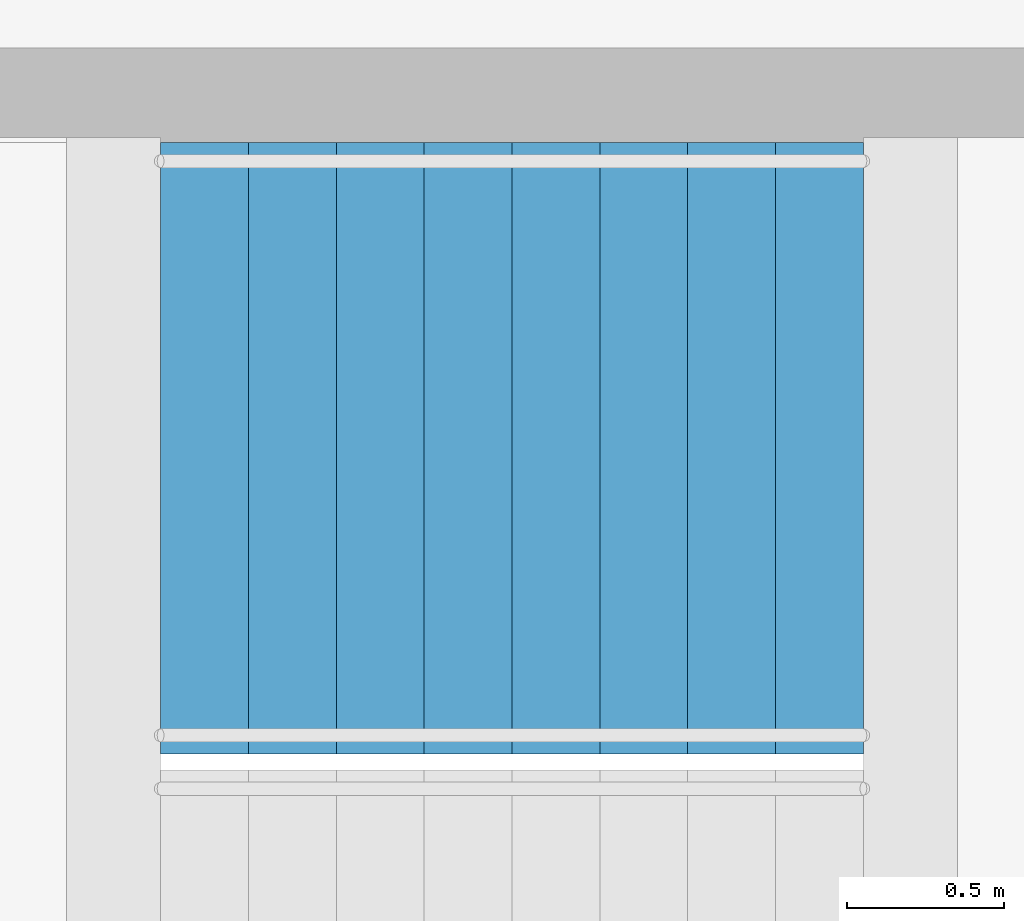
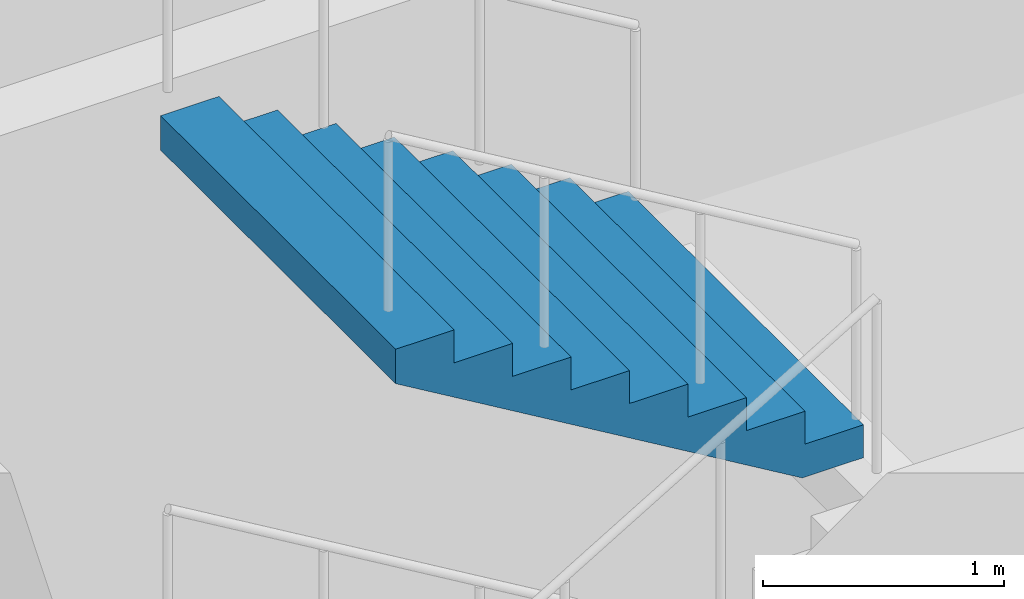
# One storey, part 32 of 57: 1 stair flight, 1 element without a shape of its own.
"""IFC4 building model written with IfcOpenShell, lengths in metres."""

from ifc_helpers import new_model, si_unit, direction, frame, origin, place, context, subcontext, project, spatial, triangles, material, type_object, element, aggregate, save


model = new_model("IFC4")

# Units and contexts
model_context = context("Model", 3, precision=1e-05, world=origin(), true_north=direction((0.0, 1.0)))
body_context = subcontext(model_context, "Body", "Model", "MODEL_VIEW")
ifc_project = project(units=[si_unit("LENGTHUNIT", "METRE"), si_unit("AREAUNIT", "SQUARE_METRE"), si_unit("VOLUMEUNIT", "CUBIC_METRE"), si_unit("PLANEANGLEUNIT", "RADIAN"), si_unit("MASSUNIT", "GRAM", prefix="KILO")], contexts=[model_context])

# Site, building, storey
site_placement = place(None, origin())
site = spatial("IfcSite", under=ifc_project, at=site_placement, CompositionType="ELEMENT")
building_placement = place(site_placement, origin())
building = spatial("IfcBuilding", under=site, at=building_placement, Name="Orbita Commons", CompositionType="ELEMENT")
storey_placement = place(building_placement, origin())
storey = spatial("IfcBuildingStorey", under=building, at=storey_placement, Name="L00", CompositionType="ELEMENT", Elevation=0.0)

# Stair, stair flight
ifc_material_1 = material(Name="Precast concrete C40/50", Category="concrete")
stair_type = type_object("IfcStairType", Name="Exit stair S1 4 flights 9 risers 167", PredefinedType="HALF_TURN_STAIR", material=ifc_material_1)
stair_placement = place(storey_placement, origin())
stair = element("IfcStair", 1, at=stair_placement, inside=storey, type_object=stair_type, Name="Exit stair S1 L00", PredefinedType="HALF_TURN_STAIR")
ifc_material_2 = material(Name="Precast concrete C40/50", Category="concrete")
stair_flight_type = type_object("IfcStairFlightType", Name="Stair flight 9 risers 167 x 280", PredefinedType="STRAIGHT", material=ifc_material_2)
stair_flight_placement = place(storey_placement, frame((22.68994140625, 29.27490234375, 4.5), z_axis=(0.0, 0.0, 1.0), x_axis=(-1.0, 0.0, 0.0)))
stair_flight = element("IfcStairFlight", 2, at=stair_flight_placement, type_object=stair_flight_type, Name="S1 flight 4", NumberOfRisers=9, NumberOfTreads=8, PredefinedType="STRAIGHT", RiserHeight=0.166666667, TreadLength=0.28, context=body_context, shape_type="Tessellation", body=[
    triangles([(0.0, 0.974976, 0.0), (0.0, 0.974976, 0.020833), (0.0, 0.81248, 0.020833), (0.0, 0.81248, 0.0), (0.0, 0.649984, 0.020833), (0.0, 0.649984, 0.0), (0.0, 0.487488, 0.020833), (0.0, 0.487488, 0.0), (0.0, 0.324992, 0.020833), (0.0, 0.324992, 0.0), (0.0, 0.162496, 0.020833), (0.0, 0.162496, 0.0), (0.0, 0.0, 0.020833), (0.0, 0.0, 0.0), (0.0, -0.162496, 0.020833), (0.0, -0.162496, 0.0), (0.0, -0.324992, 0.020833), (0.0, -0.324992, 0.0), (0.0, -0.487488, 0.020833), (0.0, -0.487488, 0.0), (0.0, -0.649984, 0.020833), (0.0, -0.649984, 0.0), (0.0, -0.81248, 0.020833), (0.0, -0.81248, 0.0), (0.0, -0.974976, 0.020833), (0.0, -0.974976, 0.0), (0.0, 0.974976, 0.041667), (0.0, 0.81248, 0.041667), (0.0, 0.649984, 0.041667), (0.0, 0.487488, 0.041667), (0.0, 0.324992, 0.041667), (0.0, 0.162496, 0.041667), (0.0, 0.0, 0.041667), (0.0, -0.162496, 0.041667), (0.0, -0.324992, 0.041667), (0.0, -0.487488, 0.041667), (0.0, -0.649984, 0.041667), (0.0, -0.81248, 0.041667), (0.0, -0.974976, 0.041667), (0.0, 0.974976, 0.0625), (0.0, 0.81248, 0.0625), (0.0, 0.649984, 0.0625), (0.0, 0.487488, 0.0625), (0.0, 0.324992, 0.0625), (0.0, 0.162496, 0.0625), (0.0, 0.0, 0.0625), (0.0, -0.162496, 0.0625), (0.0, -0.324992, 0.0625), (0.0, -0.487488, 0.0625), (0.0, -0.649984, 0.0625), (0.0, -0.81248, 0.0625), (0.0, -0.974976, 0.0625), (0.0, 0.974976, 0.083333), (0.0, 0.81248, 0.083333), (0.0, 0.649984, 0.083333), (0.0, 0.487488, 0.083333), (0.0, 0.324992, 0.083333), (0.0, 0.162496, 0.083333), (0.0, 0.0, 0.083333), (0.0, -0.162496, 0.083333), (0.0, -0.324992, 0.083333), (0.0, -0.487488, 0.083333), (0.0, -0.649984, 0.083333), (0.0, -0.81248, 0.083333), (0.0, -0.974976, 0.083333), (0.0, 0.974976, 0.104167), (0.0, 0.81248, 0.104167), (0.0, 0.649984, 0.104167), (0.0, 0.487488, 0.104167), (0.0, 0.324992, 0.104167), (0.0, 0.162496, 0.104167), (0.0, 0.0, 0.104167), (0.0, -0.162496, 0.104167), (0.0, -0.324992, 0.104167), (0.0, -0.487488, 0.104167), (0.0, -0.649984, 0.104167), (0.0, -0.81248, 0.104167), (0.0, -0.974976, 0.104167), (0.0, 0.974976, 0.125), (0.0, 0.81248, 0.125), (0.0, 0.649984, 0.125), (0.0, 0.487488, 0.125), (0.0, 0.324992, 0.125), (0.0, 0.162496, 0.125), (0.0, 0.0, 0.125), (0.0, -0.162496, 0.125), (0.0, -0.324992, 0.125), (0.0, -0.487488, 0.125), (0.0, -0.649984, 0.125), (0.0, -0.81248, 0.125), (0.0, -0.974976, 0.125), (0.0, 0.974976, 0.145833), (0.0, 0.81248, 0.145833), (0.0, 0.649984, 0.145833), (0.0, 0.487488, 0.145833), (0.0, 0.324992, 0.145833), (0.0, 0.162496, 0.145833), (0.0, 0.0, 0.145833), (0.0, -0.162496, 0.145833), (0.0, -0.324992, 0.145833), (0.0, -0.487488, 0.145833), (0.0, -0.649984, 0.145833), (0.0, -0.81248, 0.145833), (0.0, -0.974976, 0.145833), (0.0, 0.974976, 0.166667), (0.0, 0.81248, 0.166667), (0.0, 0.649984, 0.166667), (0.0, 0.487488, 0.166667), (0.0, 0.324992, 0.166667), (0.0, 0.162496, 0.166667), (0.0, 0.0, 0.166667), (0.0, -0.162496, 0.166667), (0.0, -0.324992, 0.166667), (0.0, -0.487488, 0.166667), (0.0, -0.649984, 0.166667), (0.0, -0.81248, 0.166667), (0.0, -0.974976, 0.166667), (0.28, 0.974976, 0.166667), (0.28, 0.81248, 0.166667), (0.28, 0.649984, 0.166667), (0.28, 0.487488, 0.166667), (0.28, 0.324992, 0.166667), (0.28, 0.162496, 0.166667), (0.28, 0.0, 0.166667), (0.28, -0.162496, 0.166667), (0.28, -0.324992, 0.166667), (0.28, -0.487488, 0.166667), (0.28, -0.649984, 0.166667), (0.28, -0.81248, 0.166667), (0.28, -0.974976, 0.166667), (0.28, 0.974976, 0.333333), (0.28, 0.81248, 0.333333), (0.28, 0.649984, 0.333333), (0.28, 0.487488, 0.333333), (0.28, 0.324992, 0.333333), (0.28, 0.162496, 0.333333), (0.28, 0.0, 0.333333), (0.28, -0.162496, 0.333333), (0.28, -0.324992, 0.333333), (0.28, -0.487488, 0.333333), (0.28, -0.649984, 0.333333), (0.28, -0.81248, 0.333333), (0.28, -0.974976, 0.333333), (0.56, 0.974976, 0.333333), (0.56, 0.81248, 0.333333), (0.56, 0.649984, 0.333333), (0.56, 0.487488, 0.333333), (0.56, 0.324992, 0.333333), (0.56, 0.162496, 0.333333), (0.56, 0.0, 0.333333), (0.56, -0.162496, 0.333333), (0.56, -0.324992, 0.333333), (0.56, -0.487488, 0.333333), (0.56, -0.649984, 0.333333), (0.56, -0.81248, 0.333333), (0.56, -0.974976, 0.333333), (0.56, 0.974976, 0.5), (0.56, 0.81248, 0.5), (0.56, 0.649984, 0.5), (0.56, 0.487488, 0.5), (0.56, 0.324992, 0.5), (0.56, 0.162496, 0.5), (0.56, 0.0, 0.5), (0.56, -0.162496, 0.5), (0.56, -0.324992, 0.5), (0.56, -0.487488, 0.5), (0.56, -0.649984, 0.5), (0.56, -0.81248, 0.5), (0.56, -0.974976, 0.5), (0.84, 0.974976, 0.5), (0.84, 0.81248, 0.5), (0.84, 0.649984, 0.5), (0.84, 0.487488, 0.5), (0.84, 0.324992, 0.5), (0.84, 0.162496, 0.5), (0.84, 0.0, 0.5), (0.84, -0.162496, 0.5), (0.84, -0.324992, 0.5), (0.84, -0.487488, 0.5), (0.84, -0.649984, 0.5), (0.84, -0.81248, 0.5), (0.84, -0.974976, 0.5), (0.84, 0.974976, 0.666667), (0.84, 0.81248, 0.666667), (0.84, 0.649984, 0.666667), (0.84, 0.487488, 0.666667), (0.84, 0.324992, 0.666667), (0.84, 0.162496, 0.666667), (0.84, 0.0, 0.666667), (0.84, -0.162496, 0.666667), (0.84, -0.324992, 0.666667), (0.84, -0.487488, 0.666667), (0.84, -0.649984, 0.666667), (0.84, -0.81248, 0.666667), (0.84, -0.974976, 0.666667), (1.12, 0.974976, 0.666667), (1.12, 0.81248, 0.666667), (1.12, 0.649984, 0.666667), (1.12, 0.487488, 0.666667), (1.12, 0.324992, 0.666667), (1.12, 0.162496, 0.666667), (1.12, 0.0, 0.666667), (1.12, -0.162496, 0.666667), (1.12, -0.324992, 0.666667), (1.12, -0.487488, 0.666667), (1.12, -0.649984, 0.666667), (1.12, -0.81248, 0.666667), (1.12, -0.974976, 0.666667), (1.12, 0.974976, 0.833333), (1.12, 0.81248, 0.833333), (1.12, 0.649984, 0.833333), (1.12, 0.487488, 0.833333), (1.12, 0.324992, 0.833333), (1.12, 0.162496, 0.833333), (1.12, 0.0, 0.833333), (1.12, -0.162496, 0.833333), (1.12, -0.324992, 0.833333), (1.12, -0.487488, 0.833333), (1.12, -0.649984, 0.833333), (1.12, -0.81248, 0.833333), (1.12, -0.974976, 0.833333), (1.4, 0.974976, 0.833333), (1.4, 0.81248, 0.833333), (1.4, 0.649984, 0.833333), (1.4, 0.487488, 0.833333), (1.4, 0.324992, 0.833333), (1.4, 0.162496, 0.833333), (1.4, 0.0, 0.833333), (1.4, -0.162496, 0.833333), (1.4, -0.324992, 0.833333), (1.4, -0.487488, 0.833333), (1.4, -0.649984, 0.833333), (1.4, -0.81248, 0.833333), (1.4, -0.974976, 0.833333), (1.4, 0.974976, 1.0), (1.4, 0.81248, 1.0), (1.4, 0.649984, 1.0), (1.4, 0.487488, 1.0), (1.4, 0.324992, 1.0), (1.4, 0.162496, 1.0), (1.4, 0.0, 1.0), (1.4, -0.162496, 1.0), (1.4, -0.324992, 1.0), (1.4, -0.487488, 1.0), (1.4, -0.649984, 1.0), (1.4, -0.81248, 1.0), (1.4, -0.974976, 1.0), (1.68, 0.974976, 1.0), (1.68, 0.81248, 1.0), (1.68, 0.649984, 1.0), (1.68, 0.487488, 1.0), (1.68, 0.324992, 1.0), (1.68, 0.162496, 1.0), (1.68, 0.0, 1.0), (1.68, -0.162496, 1.0), (1.68, -0.324992, 1.0), (1.68, -0.487488, 1.0), (1.68, -0.649984, 1.0), (1.68, -0.81248, 1.0), (1.68, -0.974976, 1.0), (1.68, 0.974976, 1.166667), (1.68, 0.81248, 1.166667), (1.68, 0.649984, 1.166667), (1.68, 0.487488, 1.166667), (1.68, 0.324992, 1.166667), (1.68, 0.162496, 1.166667), (1.68, 0.0, 1.166667), (1.68, -0.162496, 1.166667), (1.68, -0.324992, 1.166667), (1.68, -0.487488, 1.166667), (1.68, -0.649984, 1.166667), (1.68, -0.81248, 1.166667), (1.68, -0.974976, 1.166667), (1.96, 0.974976, 1.166667), (1.96, 0.81248, 1.166667), (1.96, 0.649984, 1.166667), (1.96, 0.487488, 1.166667), (1.96, 0.324992, 1.166667), (1.96, 0.162496, 1.166667), (1.96, 0.0, 1.166667), (1.96, -0.162496, 1.166667), (1.96, -0.324992, 1.166667), (1.96, -0.487488, 1.166667), (1.96, -0.649984, 1.166667), (1.96, -0.81248, 1.166667), (1.96, -0.974976, 1.166667), (1.96, 0.974976, 1.333333), (1.96, 0.81248, 1.333333), (1.96, 0.649984, 1.333333), (1.96, 0.487488, 1.333333), (1.96, 0.324992, 1.333333), (1.96, 0.162496, 1.333333), (1.96, 0.0, 1.333333), (1.96, -0.162496, 1.333333), (1.96, -0.324992, 1.333333), (1.96, -0.487488, 1.333333), (1.96, -0.649984, 1.333333), (1.96, -0.81248, 1.333333), (1.96, -0.974976, 1.333333), (2.24, 0.974976, 1.333333), (2.24, 0.81248, 1.333333), (2.24, 0.649984, 1.333333), (2.24, 0.487488, 1.333333), (2.24, 0.324992, 1.333333), (2.24, 0.162496, 1.333333), (2.24, 0.0, 1.333333), (2.24, -0.162496, 1.333333), (2.24, -0.324992, 1.333333), (2.24, -0.487488, 1.333333), (2.24, -0.649984, 1.333333), (2.24, -0.81248, 1.333333), (2.24, -0.974976, 1.333333), (2.24, 0.974976, 1.311527), (2.24, 0.81248, 1.311527), (2.24, 0.649984, 1.311527), (2.24, 0.487488, 1.311527), (2.24, 0.324992, 1.311527), (2.24, 0.162496, 1.311527), (2.24, 0.0, 1.311527), (2.24, -0.162496, 1.311527), (2.24, -0.324992, 1.311527), (2.24, -0.487488, 1.311527), (2.24, -0.649984, 1.311527), (2.24, -0.81248, 1.311527), (2.24, -0.974976, 1.311527), (2.24, 0.974976, 1.289721), (2.24, 0.81248, 1.289721), (2.24, 0.649984, 1.289721), (2.24, 0.487488, 1.289721), (2.24, 0.324992, 1.289721), (2.24, 0.162496, 1.289721), (2.24, 0.0, 1.289721), (2.24, -0.162496, 1.289721), (2.24, -0.324992, 1.289721), (2.24, -0.487488, 1.289721), (2.24, -0.649984, 1.289721), (2.24, -0.81248, 1.289721), (2.24, -0.974976, 1.289721), (2.24, 0.974976, 1.267915), (2.24, 0.81248, 1.267915), (2.24, 0.649984, 1.267915), (2.24, 0.487488, 1.267915), (2.24, 0.324992, 1.267915), (2.24, 0.162496, 1.267915), (2.24, 0.0, 1.267915), (2.24, -0.162496, 1.267915), (2.24, -0.324992, 1.267915), (2.24, -0.487488, 1.267915), (2.24, -0.649984, 1.267915), (2.24, -0.81248, 1.267915), (2.24, -0.974976, 1.267915), (2.24, 0.974976, 1.246109), (2.24, 0.81248, 1.246109), (2.24, 0.649984, 1.246109), (2.24, 0.487488, 1.246109), (2.24, 0.324992, 1.246109), (2.24, 0.162496, 1.246109), (2.24, 0.0, 1.246109), (2.24, -0.162496, 1.246109), (2.24, -0.324992, 1.246109), (2.24, -0.487488, 1.246109), (2.24, -0.649984, 1.246109), (2.24, -0.81248, 1.246109), (2.24, -0.974976, 1.246109), (2.24, 0.974976, 1.224303), (2.24, 0.81248, 1.224303), (2.24, 0.649984, 1.224303), (2.24, 0.487488, 1.224303), (2.24, 0.324992, 1.224303), (2.24, 0.162496, 1.224303), (2.24, 0.0, 1.224303), (2.24, -0.162496, 1.224303), (2.24, -0.324992, 1.224303), (2.24, -0.487488, 1.224303), (2.24, -0.649984, 1.224303), (2.24, -0.81248, 1.224303), (2.24, -0.974976, 1.224303), (2.24, 0.974976, 1.202497), (2.24, 0.81248, 1.202497), (2.24, 0.649984, 1.202497), (2.24, 0.487488, 1.202497), (2.24, 0.324992, 1.202497), (2.24, 0.162496, 1.202497), (2.24, 0.0, 1.202497), (2.24, -0.162496, 1.202497), (2.24, -0.324992, 1.202497), (2.24, -0.487488, 1.202497), (2.24, -0.649984, 1.202497), (2.24, -0.81248, 1.202497), (2.24, -0.974976, 1.202497), (2.24, 0.974976, 1.180691), (2.24, 0.81248, 1.180691), (2.24, 0.649984, 1.180691), (2.24, 0.487488, 1.180691), (2.24, 0.324992, 1.180691), (2.24, 0.162496, 1.180691), (2.24, 0.0, 1.180691), (2.24, -0.162496, 1.180691), (2.24, -0.324992, 1.180691), (2.24, -0.487488, 1.180691), (2.24, -0.649984, 1.180691), (2.24, -0.81248, 1.180691), (2.24, -0.974976, 1.180691), (2.24, 0.974976, 1.158885), (2.24, 0.81248, 1.158885), (2.24, 0.649984, 1.158885), (2.24, 0.487488, 1.158885), (2.24, 0.324992, 1.158885), (2.24, 0.162496, 1.158885), (2.24, 0.0, 1.158885), (2.24, -0.162496, 1.158885), (2.24, -0.324992, 1.158885), (2.24, -0.487488, 1.158885), (2.24, -0.649984, 1.158885), (2.24, -0.81248, 1.158885), (2.24, -0.974976, 1.158885), (0.293073, 0.974976, 0.0), (0.293073, 0.81248, 0.0), (0.293073, 0.649984, 0.0), (0.293073, 0.487488, 0.0), (0.293073, 0.324992, 0.0), (0.293073, 0.162496, 0.0), (0.293073, 0.0, 0.0), (0.293073, -0.162496, 0.0), (0.293073, -0.324992, 0.0), (0.293073, -0.487488, 0.0), (0.293073, -0.649984, 0.0), (0.293073, -0.81248, 0.0), (0.293073, -0.974976, 0.0)], [[3, 2, 1], [4, 3, 1], [5, 3, 4], [6, 5, 4], [7, 5, 6], [8, 7, 6], [9, 7, 8], [10, 9, 8], [11, 9, 10], [12, 11, 10], [13, 11, 12], [14, 13, 12], [15, 13, 14], [16, 15, 14], [17, 15, 16], [18, 17, 16], [19, 17, 18], [20, 19, 18], [21, 19, 20], [22, 21, 20], [23, 21, 22], [24, 23, 22], [25, 23, 24], [26, 25, 24], [28, 27, 2], [3, 28, 2], [29, 28, 3], [5, 29, 3], [30, 29, 5], [7, 30, 5], [31, 30, 7], [9, 31, 7], [32, 31, 9], [11, 32, 9], [33, 32, 11], [13, 33, 11], [34, 33, 13], [15, 34, 13], [35, 34, 15], [17, 35, 15], [36, 35, 17], [19, 36, 17], [37, 36, 19], [21, 37, 19], [38, 37, 21], [23, 38, 21], [39, 38, 23], [25, 39, 23], [41, 40, 27], [28, 41, 27], [42, 41, 28], [29, 42, 28], [43, 42, 29], [30, 43, 29], [44, 43, 30], [31, 44, 30], [45, 44, 31], [32, 45, 31], [46, 45, 32], [33, 46, 32], [47, 46, 33], [34, 47, 33], [48, 47, 34], [35, 48, 34], [49, 48, 35], [36, 49, 35], [50, 49, 36], [37, 50, 36], [51, 50, 37], [38, 51, 37], [52, 51, 38], [39, 52, 38], [54, 53, 40], [41, 54, 40], [55, 54, 41], [42, 55, 41], [56, 55, 42], [43, 56, 42], [57, 56, 43], [44, 57, 43], [58, 57, 44], [45, 58, 44], [59, 58, 45], [46, 59, 45], [60, 59, 46], [47, 60, 46], [61, 60, 47], [48, 61, 47], [62, 61, 48], [49, 62, 48], [63, 62, 49], [50, 63, 49], [64, 63, 50], [51, 64, 50], [65, 64, 51], [52, 65, 51], [67, 66, 53], [54, 67, 53], [68, 67, 54], [55, 68, 54], [69, 68, 55], [56, 69, 55], [70, 69, 56], [57, 70, 56], [71, 70, 57], [58, 71, 57], [72, 71, 58], [59, 72, 58], [73, 72, 59], [60, 73, 59], [74, 73, 60], [61, 74, 60], [75, 74, 61], [62, 75, 61], [76, 75, 62], [63, 76, 62], [77, 76, 63], [64, 77, 63], [78, 77, 64], [65, 78, 64], [80, 79, 66], [67, 80, 66], [81, 80, 67], [68, 81, 67], [82, 81, 68], [69, 82, 68], [83, 82, 69], [70, 83, 69], [84, 83, 70], [71, 84, 70], [85, 84, 71], [72, 85, 71], [86, 85, 72], [73, 86, 72], [87, 86, 73], [74, 87, 73], [88, 87, 74], [75, 88, 74], [89, 88, 75], [76, 89, 75], [90, 89, 76], [77, 90, 76], [91, 90, 77], [78, 91, 77], [93, 92, 79], [80, 93, 79], [94, 93, 80], [81, 94, 80], [95, 94, 81], [82, 95, 81], [96, 95, 82], [83, 96, 82], [97, 96, 83], [84, 97, 83], [98, 97, 84], [85, 98, 84], [99, 98, 85], [86, 99, 85], [100, 99, 86], [87, 100, 86], [101, 100, 87], [88, 101, 87], [102, 101, 88], [89, 102, 88], [103, 102, 89], [90, 103, 89], [104, 103, 90], [91, 104, 90], [106, 105, 92], [93, 106, 92], [107, 106, 93], [94, 107, 93], [108, 107, 94], [95, 108, 94], [109, 108, 95], [96, 109, 95], [110, 109, 96], [97, 110, 96], [111, 110, 97], [98, 111, 97], [112, 111, 98], [99, 112, 98], [113, 112, 99], [100, 113, 99], [114, 113, 100], [101, 114, 100], [115, 114, 101], [102, 115, 101], [116, 115, 102], [103, 116, 102], [117, 116, 103], [104, 117, 103], [119, 118, 105], [106, 119, 105], [120, 119, 106], [107, 120, 106], [121, 120, 107], [108, 121, 107], [122, 121, 108], [109, 122, 108], [123, 122, 109], [110, 123, 109], [124, 123, 110], [111, 124, 110], [125, 124, 111], [112, 125, 111], [126, 125, 112], [113, 126, 112], [127, 126, 113], [114, 127, 113], [128, 127, 114], [115, 128, 114], [129, 128, 115], [116, 129, 115], [130, 129, 116], [117, 130, 116], [132, 131, 118], [119, 132, 118], [133, 132, 119], [120, 133, 119], [134, 133, 120], [121, 134, 120], [135, 134, 121], [122, 135, 121], [136, 135, 122], [123, 136, 122], [137, 136, 123], [124, 137, 123], [138, 137, 124], [125, 138, 124], [139, 138, 125], [126, 139, 125], [140, 139, 126], [127, 140, 126], [141, 140, 127], [128, 141, 127], [142, 141, 128], [129, 142, 128], [143, 142, 129], [130, 143, 129], [145, 144, 131], [132, 145, 131], [146, 145, 132], [133, 146, 132], [147, 146, 133], [134, 147, 133], [148, 147, 134], [135, 148, 134], [149, 148, 135], [136, 149, 135], [150, 149, 136], [137, 150, 136], [151, 150, 137], [138, 151, 137], [152, 151, 138], [139, 152, 138], [153, 152, 139], [140, 153, 139], [154, 153, 140], [141, 154, 140], [155, 154, 141], [142, 155, 141], [156, 155, 142], [143, 156, 142], [158, 157, 144], [145, 158, 144], [159, 158, 145], [146, 159, 145], [160, 159, 146], [147, 160, 146], [161, 160, 147], [148, 161, 147], [162, 161, 148], [149, 162, 148], [163, 162, 149], [150, 163, 149], [164, 163, 150], [151, 164, 150], [165, 164, 151], [152, 165, 151], [166, 165, 152], [153, 166, 152], [167, 166, 153], [154, 167, 153], [168, 167, 154], [155, 168, 154], [169, 168, 155], [156, 169, 155], [171, 170, 157], [158, 171, 157], [172, 171, 158], [159, 172, 158], [173, 172, 159], [160, 173, 159], [174, 173, 160], [161, 174, 160], [175, 174, 161], [162, 175, 161], [176, 175, 162], [163, 176, 162], [177, 176, 163], [164, 177, 163], [178, 177, 164], [165, 178, 164], [179, 178, 165], [166, 179, 165], [180, 179, 166], [167, 180, 166], [181, 180, 167], [168, 181, 167], [182, 181, 168], [169, 182, 168], [184, 183, 170], [171, 184, 170], [185, 184, 171], [172, 185, 171], [186, 185, 172], [173, 186, 172], [187, 186, 173], [174, 187, 173], [188, 187, 174], [175, 188, 174], [189, 188, 175], [176, 189, 175], [190, 189, 176], [177, 190, 176], [191, 190, 177], [178, 191, 177], [192, 191, 178], [179, 192, 178], [193, 192, 179], [180, 193, 179], [194, 193, 180], [181, 194, 180], [195, 194, 181], [182, 195, 181], [197, 196, 183], [184, 197, 183], [198, 197, 184], [185, 198, 184], [199, 198, 185], [186, 199, 185], [200, 199, 186], [187, 200, 186], [201, 200, 187], [188, 201, 187], [202, 201, 188], [189, 202, 188], [203, 202, 189], [190, 203, 189], [204, 203, 190], [191, 204, 190], [205, 204, 191], [192, 205, 191], [206, 205, 192], [193, 206, 192], [207, 206, 193], [194, 207, 193], [208, 207, 194], [195, 208, 194], [210, 209, 196], [197, 210, 196], [211, 210, 197], [198, 211, 197], [212, 211, 198], [199, 212, 198], [213, 212, 199], [200, 213, 199], [214, 213, 200], [201, 214, 200], [215, 214, 201], [202, 215, 201], [216, 215, 202], [203, 216, 202], [217, 216, 203], [204, 217, 203], [218, 217, 204], [205, 218, 204], [219, 218, 205], [206, 219, 205], [220, 219, 206], [207, 220, 206], [221, 220, 207], [208, 221, 207], [223, 222, 209], [210, 223, 209], [224, 223, 210], [211, 224, 210], [225, 224, 211], [212, 225, 211], [226, 225, 212], [213, 226, 212], [227, 226, 213], [214, 227, 213], [228, 227, 214], [215, 228, 214], [229, 228, 215], [216, 229, 215], [230, 229, 216], [217, 230, 216], [231, 230, 217], [218, 231, 217], [232, 231, 218], [219, 232, 218], [233, 232, 219], [220, 233, 219], [234, 233, 220], [221, 234, 220], [236, 235, 222], [223, 236, 222], [237, 236, 223], [224, 237, 223], [238, 237, 224], [225, 238, 224], [239, 238, 225], [226, 239, 225], [240, 239, 226], [227, 240, 226], [241, 240, 227], [228, 241, 227], [242, 241, 228], [229, 242, 228], [243, 242, 229], [230, 243, 229], [244, 243, 230], [231, 244, 230], [245, 244, 231], [232, 245, 231], [246, 245, 232], [233, 246, 232], [247, 246, 233], [234, 247, 233], [249, 248, 235], [236, 249, 235], [250, 249, 236], [237, 250, 236], [251, 250, 237], [238, 251, 237], [252, 251, 238], [239, 252, 238], [253, 252, 239], [240, 253, 239], [254, 253, 240], [241, 254, 240], [255, 254, 241], [242, 255, 241], [256, 255, 242], [243, 256, 242], [257, 256, 243], [244, 257, 243], [258, 257, 244], [245, 258, 244], [259, 258, 245], [246, 259, 245], [260, 259, 246], [247, 260, 246], [262, 261, 248], [249, 262, 248], [263, 262, 249], [250, 263, 249], [264, 263, 250], [251, 264, 250], [265, 264, 251], [252, 265, 251], [266, 265, 252], [253, 266, 252], [267, 266, 253], [254, 267, 253], [268, 267, 254], [255, 268, 254], [269, 268, 255], [256, 269, 255], [270, 269, 256], [257, 270, 256], [271, 270, 257], [258, 271, 257], [272, 271, 258], [259, 272, 258], [273, 272, 259], [260, 273, 259], [275, 274, 261], [262, 275, 261], [276, 275, 262], [263, 276, 262], [277, 276, 263], [264, 277, 263], [278, 277, 264], [265, 278, 264], [279, 278, 265], [266, 279, 265], [280, 279, 266], [267, 280, 266], [281, 280, 267], [268, 281, 267], [282, 281, 268], [269, 282, 268], [283, 282, 269], [270, 283, 269], [284, 283, 270], [271, 284, 270], [285, 284, 271], [272, 285, 271], [286, 285, 272], [273, 286, 272], [288, 287, 274], [275, 288, 274], [289, 288, 275], [276, 289, 275], [290, 289, 276], [277, 290, 276], [291, 290, 277], [278, 291, 277], [292, 291, 278], [279, 292, 278], [293, 292, 279], [280, 293, 279], [294, 293, 280], [281, 294, 280], [295, 294, 281], [282, 295, 281], [296, 295, 282], [283, 296, 282], [297, 296, 283], [284, 297, 283], [298, 297, 284], [285, 298, 284], [299, 298, 285], [286, 299, 285], [301, 300, 287], [288, 301, 287], [302, 301, 288], [289, 302, 288], [303, 302, 289], [290, 303, 289], [304, 303, 290], [291, 304, 290], [305, 304, 291], [292, 305, 291], [306, 305, 292], [293, 306, 292], [307, 306, 293], [294, 307, 293], [308, 307, 294], [295, 308, 294], [309, 308, 295], [296, 309, 295], [310, 309, 296], [297, 310, 296], [311, 310, 297], [298, 311, 297], [312, 311, 298], [299, 312, 298], [314, 313, 300], [301, 314, 300], [315, 314, 301], [302, 315, 301], [316, 315, 302], [303, 316, 302], [317, 316, 303], [304, 317, 303], [318, 317, 304], [305, 318, 304], [319, 318, 305], [306, 319, 305], [320, 319, 306], [307, 320, 306], [321, 320, 307], [308, 321, 307], [322, 321, 308], [309, 322, 308], [323, 322, 309], [310, 323, 309], [324, 323, 310], [311, 324, 310], [325, 324, 311], [312, 325, 311], [327, 326, 313], [314, 327, 313], [328, 327, 314], [315, 328, 314], [329, 328, 315], [316, 329, 315], [330, 329, 316], [317, 330, 316], [331, 330, 317], [318, 331, 317], [332, 331, 318], [319, 332, 318], [333, 332, 319], [320, 333, 319], [334, 333, 320], [321, 334, 320], [335, 334, 321], [322, 335, 321], [336, 335, 322], [323, 336, 322], [337, 336, 323], [324, 337, 323], [338, 337, 324], [325, 338, 324], [340, 339, 326], [327, 340, 326], [341, 340, 327], [328, 341, 327], [342, 341, 328], [329, 342, 328], [343, 342, 329], [330, 343, 329], [344, 343, 330], [331, 344, 330], [345, 344, 331], [332, 345, 331], [346, 345, 332], [333, 346, 332], [347, 346, 333], [334, 347, 333], [348, 347, 334], [335, 348, 334], [349, 348, 335], [336, 349, 335], [350, 349, 336], [337, 350, 336], [351, 350, 337], [338, 351, 337], [353, 352, 339], [340, 353, 339], [354, 353, 340], [341, 354, 340], [355, 354, 341], [342, 355, 341], [356, 355, 342], [343, 356, 342], [357, 356, 343], [344, 357, 343], [358, 357, 344], [345, 358, 344], [359, 358, 345], [346, 359, 345], [360, 359, 346], [347, 360, 346], [361, 360, 347], [348, 361, 347], [362, 361, 348], [349, 362, 348], [363, 362, 349], [350, 363, 349], [364, 363, 350], [351, 364, 350], [366, 365, 352], [353, 366, 352], [367, 366, 353], [354, 367, 353], [368, 367, 354], [355, 368, 354], [369, 368, 355], [356, 369, 355], [370, 369, 356], [357, 370, 356], [371, 370, 357], [358, 371, 357], [372, 371, 358], [359, 372, 358], [373, 372, 359], [360, 373, 359], [374, 373, 360], [361, 374, 360], [375, 374, 361], [362, 375, 361], [376, 375, 362], [363, 376, 362], [377, 376, 363], [364, 377, 363], [379, 378, 365], [366, 379, 365], [380, 379, 366], [367, 380, 366], [381, 380, 367], [368, 381, 367], [382, 381, 368], [369, 382, 368], [383, 382, 369], [370, 383, 369], [384, 383, 370], [371, 384, 370], [385, 384, 371], [372, 385, 371], [386, 385, 372], [373, 386, 372], [387, 386, 373], [374, 387, 373], [388, 387, 374], [375, 388, 374], [389, 388, 375], [376, 389, 375], [390, 389, 376], [377, 390, 376], [392, 391, 378], [379, 392, 378], [393, 392, 379], [380, 393, 379], [394, 393, 380], [381, 394, 380], [395, 394, 381], [382, 395, 381], [396, 395, 382], [383, 396, 382], [397, 396, 383], [384, 397, 383], [398, 397, 384], [385, 398, 384], [399, 398, 385], [386, 399, 385], [400, 399, 386], [387, 400, 386], [401, 400, 387], [388, 401, 387], [402, 401, 388], [389, 402, 388], [403, 402, 389], [390, 403, 389], [405, 404, 391], [392, 405, 391], [406, 405, 392], [393, 406, 392], [407, 406, 393], [394, 407, 393], [408, 407, 394], [395, 408, 394], [409, 408, 395], [396, 409, 395], [410, 409, 396], [397, 410, 396], [411, 410, 397], [398, 411, 397], [412, 411, 398], [399, 412, 398], [413, 412, 399], [400, 413, 399], [414, 413, 400], [401, 414, 400], [415, 414, 401], [402, 415, 401], [416, 415, 402], [403, 416, 402], [418, 417, 404], [405, 418, 404], [419, 418, 405], [406, 419, 405], [420, 419, 406], [407, 420, 406], [421, 420, 407], [408, 421, 407], [422, 421, 408], [409, 422, 408], [423, 422, 409], [410, 423, 409], [424, 423, 410], [411, 424, 410], [425, 424, 411], [412, 425, 411], [426, 425, 412], [413, 426, 412], [427, 426, 413], [414, 427, 413], [428, 427, 414], [415, 428, 414], [429, 428, 415], [416, 429, 415], [4, 1, 417], [418, 4, 417], [6, 4, 418], [419, 6, 418], [8, 6, 419], [420, 8, 419], [10, 8, 420], [421, 10, 420], [12, 10, 421], [422, 12, 421], [14, 12, 422], [423, 14, 422], [16, 14, 423], [424, 16, 423], [18, 16, 424], [425, 18, 424], [20, 18, 425], [426, 20, 425], [22, 20, 426], [427, 22, 426], [24, 22, 427], [428, 24, 427], [26, 24, 428], [429, 26, 428], [404, 417, 1], [26, 429, 416], [391, 404, 1], [26, 416, 403], [378, 391, 1], [26, 403, 390], [365, 378, 1], [26, 390, 377], [352, 365, 1], [26, 377, 364], [339, 352, 1], [26, 364, 351], [326, 339, 1], [26, 351, 338], [313, 326, 1], [26, 338, 325], [287, 300, 313], [325, 312, 299], [274, 287, 313], [325, 299, 286], [248, 261, 274], [286, 273, 260], [248, 274, 313], [325, 286, 260], [222, 235, 248], [260, 247, 234], [222, 248, 313], [325, 260, 234], [196, 209, 222], [234, 221, 208], [196, 222, 313], [325, 234, 208], [170, 183, 196], [208, 195, 182], [170, 196, 313], [325, 208, 182], [144, 157, 170], [182, 169, 156], [144, 170, 313], [325, 182, 156], [118, 131, 144], [156, 143, 130], [118, 144, 313], [325, 156, 130], [118, 313, 1], [26, 325, 130], [92, 105, 118], [130, 117, 104], [79, 92, 118], [130, 104, 91], [66, 79, 118], [130, 91, 78], [53, 66, 118], [130, 78, 65], [40, 53, 118], [130, 65, 52], [27, 40, 118], [130, 52, 39], [2, 27, 118], [130, 39, 25], [1, 2, 118], [130, 25, 26]], closed=True),
])
aggregate(stair, [stair_flight])

save(model, "model.ifc")
